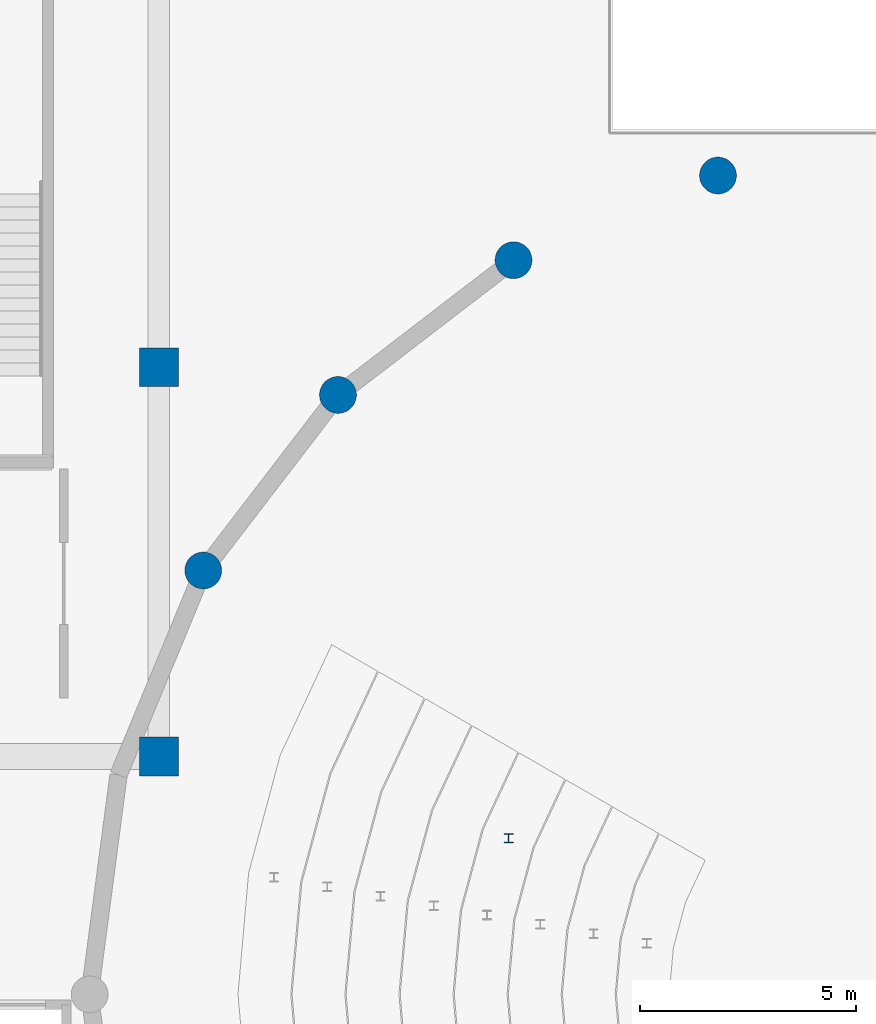
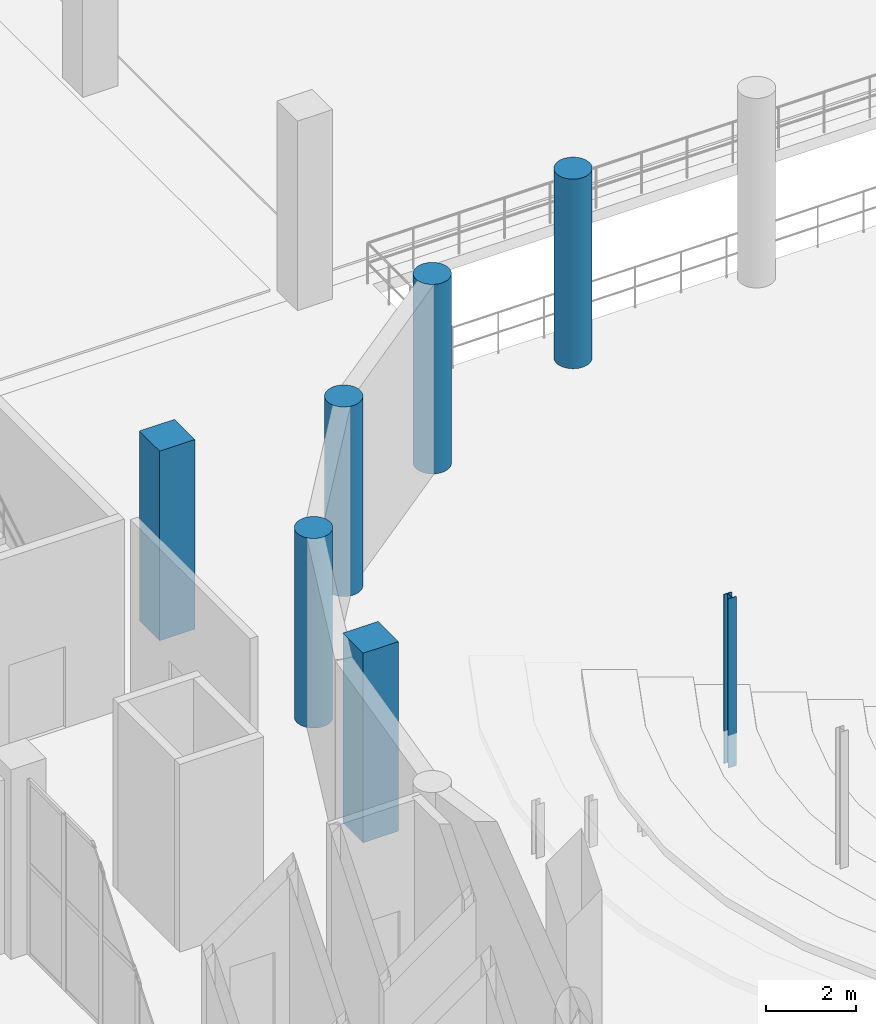
# One storey, part 21 of 103: 7 columns.
"""IFC4 building model written with IfcOpenShell, lengths in metres."""

import ifcopenshell
import ifcopenshell.guid

model = None  # the IFC model being written
_history = None  # IfcOwnerHistory: only IFC2X3 demands one
_inside = {}  # id of a spatial element -> (the spatial element, [elements in it])
_under = {}  # id of a project, library or spatial element -> (it, [spatial elements below it])
_declared = {}  # id of a project -> (the project, [libraries it declares])
_typed = {}  # id of a type object -> (the type object, [elements of that type])
_made_of = {}  # id of a material, layer set ... -> (it, [elements and type objects made of it])


def new_model(schema):
    """Start an empty IFC model of exactly this schema.

    Asked for "IFC4X3", IfcOpenShell would pick the latest addendum, in which some entities
    have other attributes; the version numbers below select the first issue.
    IFC2X3 requires an IfcOwnerHistory on every rooted entity: one is made here for all.
    """
    global model, _history
    if schema == "IFC4X3":
        model = ifcopenshell.file(schema_version=(4, 3, 0, 0))
    else:
        model = ifcopenshell.file(schema=schema)
    _inside.clear()
    _under.clear()
    _declared.clear()
    _typed.clear()
    _made_of.clear()
    _history = None
    if model.schema == "IFC2X3":
        org = make("IfcOrganization", Name="unknown")
        user = make(
            "IfcPersonAndOrganization",
            ThePerson=make("IfcPerson", FamilyName="unknown"),
            TheOrganization=org,
        )
        app = make(
            "IfcApplication",
            ApplicationDeveloper=org,
            Version="unknown",
            ApplicationFullName="unknown",
            ApplicationIdentifier="unknown",
        )
        _history = make(
            "IfcOwnerHistory",
            OwningUser=user,
            OwningApplication=app,
            ChangeAction="ADDED",
            CreationDate=0,
        )
    return model


def make(cls, **values):
    """One entity of the class cls with the attributes given. An attribute that is None is left unset."""
    return model.create_entity(
        cls, **{name: value for name, value in values.items() if value is not None}
    )


def rooted(cls, **values):
    """An entity with a GlobalId (a new one), such as an element, a storey or a relation."""
    return make(cls, GlobalId=ifcopenshell.guid.new(), OwnerHistory=_history, **values)


def si_unit(unit_type, name, prefix=None):
    """IfcSIUnit, for example si_unit("LENGTHUNIT", "METRE", prefix="MILLI")."""
    return make("IfcSIUnit", UnitType=unit_type, Prefix=prefix, Name=name)


def assignment(units):
    """IfcUnitAssignment: the units of a project."""
    return None if units is None else make("IfcUnitAssignment", Units=units)


def point(xyz):
    """IfcCartesianPoint."""
    return None if xyz is None else make("IfcCartesianPoint", Coordinates=xyz)


def direction(xyz):
    """IfcDirection."""
    return None if xyz is None else make("IfcDirection", DirectionRatios=xyz)


def frame(location, z_axis=None, x_axis=None):
    """IfcAxis2Placement3D, a coordinate frame: its origin and axes. An axis left out is left unset."""
    return make(
        "IfcAxis2Placement3D",
        Location=point(location),
        Axis=direction(z_axis),
        RefDirection=direction(x_axis),
    )


def frame_2d(location, x_axis=None):
    """IfcAxis2Placement2D, a coordinate frame in the plane: its origin and x axis."""
    return make(
        "IfcAxis2Placement2D", Location=point(location), RefDirection=direction(x_axis)
    )


def origin():
    """The frame at (0, 0, 0) with its axes left unset."""
    return frame((0.0, 0.0, 0.0))


def origin_2d():
    """The frame at (0, 0) in the plane with its x axis left unset."""
    return frame_2d((0.0, 0.0))


def place(relative_to, where):
    """IfcLocalPlacement: puts the frame where relative to a parent placement (None: the world)."""
    return make(
        "IfcLocalPlacement", PlacementRelTo=relative_to, RelativePlacement=where
    )


def context(
    kind, dimensions, precision=None, world=None, true_north=None, identifier=None
):
    """IfcGeometricRepresentationContext, for example the 3D "Model" context."""
    return make(
        "IfcGeometricRepresentationContext",
        ContextIdentifier=identifier,
        ContextType=kind,
        CoordinateSpaceDimension=dimensions,
        Precision=precision,
        WorldCoordinateSystem=world,
        TrueNorth=true_north,
    )


def subcontext(parent, identifier, kind, view, scale=None):
    """IfcGeometricRepresentationSubContext, for example "Body" below "Model"."""
    return make(
        "IfcGeometricRepresentationSubContext",
        ContextIdentifier=identifier,
        ContextType=kind,
        ParentContext=parent,
        TargetScale=scale,
        TargetView=view,
    )


def project(units=None, contexts=None):
    """IfcProject with its units and contexts."""
    return rooted(
        "IfcProject",
        Name="project",
        RepresentationContexts=contexts,
        UnitsInContext=assignment(units),
    )


def spatial(cls, under=None, at=None, **own):
    """A site, building, storey or space (cls), placed at a placement, below another one or the project."""
    s = rooted(cls, ObjectPlacement=at, **own)
    if under is not None:
        _under.setdefault(under.id(), (under, []))[1].append(s)
    return s


def profile(cls, at=None, kind="AREA", **sizes):
    """A parametric profile (cls). Its sizes go by their IFC names, for example OverallWidth=200.0."""
    return make(cls, ProfileType=kind, Position=at, **sizes)


def rectangle(**sizes):
    """IfcRectangleProfileDef."""
    return profile("IfcRectangleProfileDef", **sizes)


def circle(**sizes):
    """IfcCircleProfileDef."""
    return profile("IfcCircleProfileDef", **sizes)


def i_section(**sizes):
    """IfcIShapeProfileDef."""
    return profile("IfcIShapeProfileDef", **sizes)


def extrude(swept, where, along, depth):
    """IfcExtrudedAreaSolid: the profile swept, set in the frame where, extruded along a direction by depth."""
    return make(
        "IfcExtrudedAreaSolid",
        SweptArea=swept,
        Position=where,
        ExtrudedDirection=direction(along),
        Depth=depth,
    )


def shape(context_of_items, identifier, shape_type, items):
    """IfcShapeRepresentation: the items that make up one representation, for example the "Body"."""
    return make(
        "IfcShapeRepresentation",
        ContextOfItems=context_of_items,
        RepresentationIdentifier=identifier,
        RepresentationType=shape_type,
        Items=items,
    )


def material(Name=None, Category=None):
    """IfcMaterial."""
    return make("IfcMaterial", Name=Name, Category=Category)


def material_profile(
    of_material, cross_section, Name=None, Category=None, Priority=None
):
    """IfcMaterialProfile: a cross section and its material."""
    return make(
        "IfcMaterialProfile",
        Name=Name,
        Material=of_material,
        Profile=cross_section,
        Priority=Priority,
        Category=Category,
    )


def profile_set(profiles, Name=None, composite=None):
    """IfcMaterialProfileSet."""
    return make(
        "IfcMaterialProfileSet",
        Name=Name,
        MaterialProfiles=profiles,
        CompositeProfile=composite,
    )


def made_of(thing, what):
    """Note that an element or type object is made of a material, layer set ...; save() writes the relation."""
    if what is not None:
        _made_of.setdefault(what.id(), (what, []))[1].append(thing)
    return thing


def type_object(cls, material=None, **own):
    """A type object (cls), such as IfcWallType, which elements share."""
    return made_of(rooted(cls, **own), material)


def element(
    cls,
    number,
    at=None,
    inside=None,
    cuts=None,
    type_object=None,
    material=None,
    context=None,
    identifier="Body",
    shape_type=None,
    held_by="IfcProductDefinitionShape",
    body=None,
    shapes=None,
    **own,
):
    """One element of the class cls, such as IfcWall. Its Tag is "e" and its number.

    at: its placement. inside: the storey or other place that contains it. cuts: it is an
    opening in that element (IfcRelVoidsElement). A single representation is given by context,
    identifier, shape_type and body (its items); several are given by shapes. held_by: the class
    of the entity that holds the representations. save() writes the other relations.
    """
    e = rooted(cls, Tag="e%d" % number, ObjectPlacement=at, **own)
    if body is not None:
        shapes = [shape(context, identifier, shape_type, body)]
    if shapes is not None:
        e.Representation = make(held_by, Representations=shapes)
    if inside is not None:
        _inside.setdefault(inside.id(), (inside, []))[1].append(e)
    if cuts is not None:
        rooted(
            "IfcRelVoidsElement", RelatingBuildingElement=cuts, RelatedOpeningElement=e
        )
    if type_object is not None:
        _typed.setdefault(type_object.id(), (type_object, []))[1].append(e)
    return made_of(e, material)


def aggregate(whole, parts):
    """IfcRelAggregates: a whole, such as a stair, and the parts it consists of."""
    return rooted("IfcRelAggregates", RelatingObject=whole, RelatedObjects=parts)


def save(model, path):
    """Write the relations noted so far, then the file.

    IfcRelAggregates (storeys below a building ...), IfcRelContainedInSpatialStructure (elements
    in a storey), IfcRelDefinesByType, IfcRelAssociatesMaterial and IfcRelDeclares: one each for
    every whole, place, type object, material and project.
    """
    for whole, parts in _under.values():
        aggregate(whole, parts)
    for where, things in _inside.values():
        rooted(
            "IfcRelContainedInSpatialStructure",
            RelatedElements=things,
            RelatingStructure=where,
        )
    for kind, things in _typed.values():
        rooted("IfcRelDefinesByType", RelatedObjects=things, RelatingType=kind)
    for what, things in _made_of.values():
        rooted("IfcRelAssociatesMaterial", RelatedObjects=things, RelatingMaterial=what)
    for by, libraries in _declared.values():
        rooted("IfcRelDeclares", RelatingContext=by, RelatedDefinitions=libraries)
    model.write(path)


model = new_model("IFC4")

# Units and contexts
model_context = context("Model", 3, precision=1e-05, world=origin(), true_north=direction((0.0, 1.0)))
body_context = subcontext(model_context, "Body", "Model", "MODEL_VIEW")
ifc_project = project(units=[si_unit("LENGTHUNIT", "METRE"), si_unit("AREAUNIT", "SQUARE_METRE"), si_unit("VOLUMEUNIT", "CUBIC_METRE"), si_unit("PLANEANGLEUNIT", "RADIAN"), si_unit("MASSUNIT", "GRAM", prefix="KILO")], contexts=[model_context])

# Site, building, storey
site_placement = place(None, origin())
site = spatial("IfcSite", under=ifc_project, at=site_placement, CompositionType="ELEMENT")
building_placement = place(site_placement, origin())
building = spatial("IfcBuilding", under=site, at=building_placement, Name="Marnock Terrace Opera House", CompositionType="ELEMENT")
storey_placement = place(building_placement, origin())
storey = spatial("IfcBuildingStorey", under=building, at=storey_placement, Name="L00", CompositionType="ELEMENT", Elevation=0.0)

# Columns
ifc_material_1 = material(Name="Concrete N50 (f'c = 50 MPa)", Category="concrete")
ifc_material_profile_1 = material_profile(ifc_material_1, circle(Radius=0.425048828125, at=origin_2d()))
ifc_profile_set_1 = profile_set([ifc_material_profile_1], Name="Concrete N50 (f'c = 50 MPa)")
column_type_1 = type_object("IfcColumnType", Name="COL-DRUM-850", PredefinedType="COLUMN", material=ifc_profile_set_1)
for number, where, z_axis, x_axis, name in (
    (1, (76.927001953125, 79.431884765625, 0.0), (0.0, 0.0, 1.0), (1.0, 0.0, 0.0), "L00 auditorium drum pier 8"),
    (2, (72.199951171875, 77.47412109375, 0.0), (0.0, 0.0, 1.0), (1.0, 0.0, 0.0), "L00 auditorium drum pier 9"),
    (3, (68.14111328125, 74.35888671875, 0.0), (0.0, 0.0, 1.0), (1.0, 0.0, 0.0), "L00 auditorium drum pier 10"),
    (4, (65.02587890625, 70.300048828125, 0.0), (0.0, 0.0, 1.0), (1.0, 0.0, 0.0), "L00 auditorium drum pier 11"),
):
    element("IfcColumn", number, at=place(storey_placement, frame(where, z_axis=z_axis, x_axis=x_axis)), inside=storey, type_object=column_type_1, Name=name, PredefinedType="COLUMN", context=body_context, shape_type="SweptSolid", body=[
        extrude(circle(Radius=0.425048828125, at=origin_2d()), origin(), (0.0, 0.0, 1.0), 5.1201171875),
    ])
ifc_material_profile_2 = material_profile(ifc_material_1, rectangle(XDim=0.89990234375, YDim=0.89990234375, at=origin_2d()))
ifc_profile_set_2 = profile_set([ifc_material_profile_2], Name="Concrete N50 (f'c = 50 MPa)")
column_type_2 = type_object("IfcColumnType", Name="COL-RC900", PredefinedType="COLUMN", material=ifc_profile_set_2)
for number, where, z_axis, x_axis, name in (
    (5, (64.0, 66.0, 0.0), (0.0, 0.0, 1.0), (1.0, 0.0, 0.0), "L00 column at (64.0, 66.0)"),
    (6, (64.0, 75.0, 0.0), (0.0, 0.0, 1.0), (1.0, 0.0, 0.0), "L00 column at (64.0, 75.0)"),
):
    element("IfcColumn", number, at=place(storey_placement, frame(where, z_axis=z_axis, x_axis=x_axis)), inside=storey, type_object=column_type_2, Name=name, PredefinedType="COLUMN", context=body_context, shape_type="SweptSolid", body=[
        extrude(rectangle(XDim=0.89990234375, YDim=0.89990234375, at=origin_2d()), origin(), (0.0, 0.0, 1.0), 5.1201171875),
    ])
ifc_material_2 = material(Name="Steel Grade 350 (AS/NZS 3679.1)", Category="steel")
ifc_material_profile_3 = material_profile(ifc_material_2, i_section(OverallWidth=0.205078125, OverallDepth=0.209716796875, WebThickness=0.00927734375, FlangeThickness=0.01416015625, FilletRadius=0.011474609375, at=origin_2d()))
ifc_profile_set_3 = profile_set([ifc_material_profile_3], Name="Steel Grade 350 (AS/NZS 3679.1)")
column_type_3 = type_object("IfcColumnType", Name="COL-UC200", PredefinedType="COLUMN", material=ifc_profile_set_3)
column_placement = place(storey_placement, frame((72.086181640625, 64.1083984375, 0.0), z_axis=(0.0, 0.0, 1.0), x_axis=(1.0, 0.0, 0.0)))
element("IfcColumn", 7, at=column_placement, inside=storey, type_object=column_type_3, Name="L00 Auditorium balcony-front column 1", PredefinedType="COLUMN", context=body_context, shape_type="SweptSolid", body=[
    extrude(i_section(OverallWidth=0.205078125, OverallDepth=0.209716796875, WebThickness=0.00927734375, FlangeThickness=0.01416015625, FilletRadius=0.011474609375, at=origin_2d()), origin(), (0.0, 0.0, 1.0), 4.570068359375),
])

save(model, "model.ifc")
